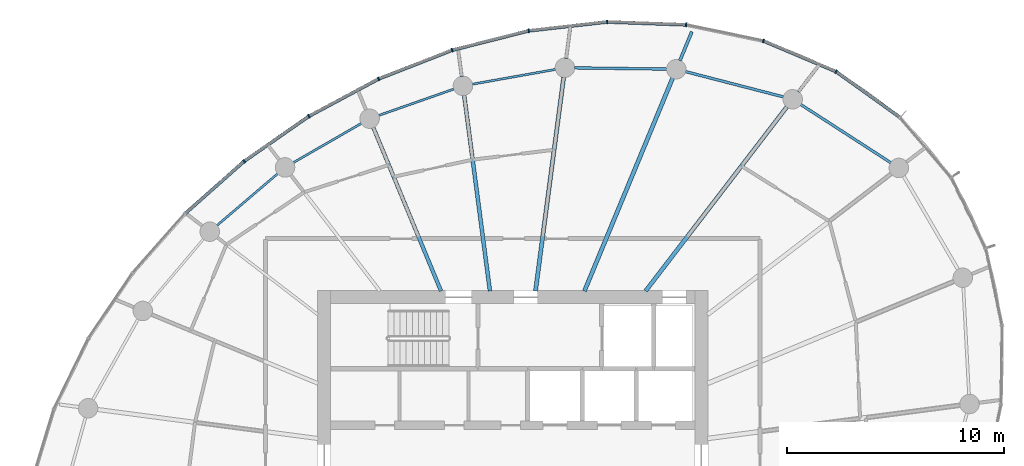
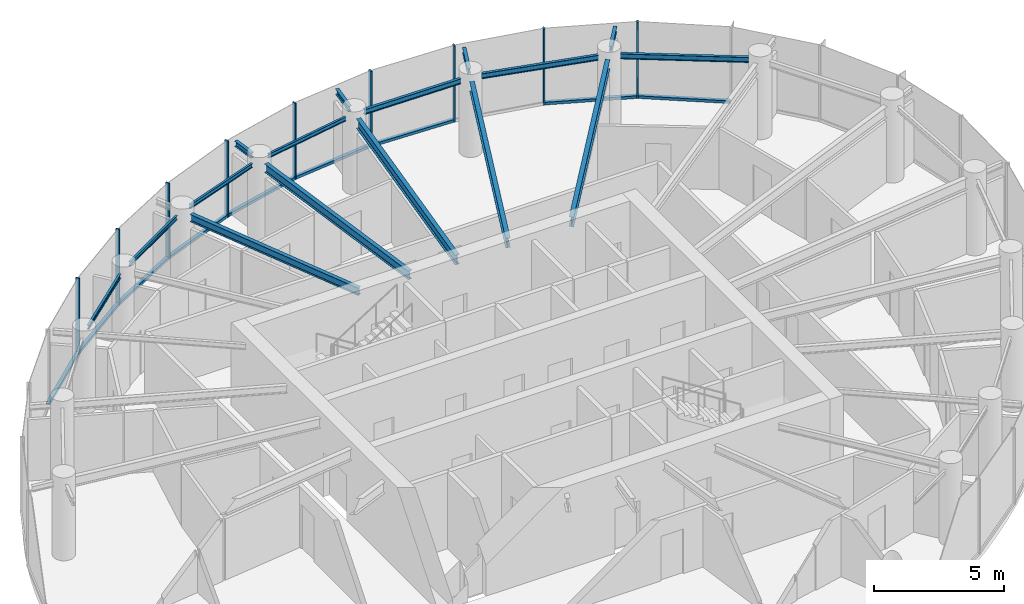
# One storey, part 6 of 15: 18 members, 16 beams, 2 elements without a shape of their own.
"""IFC4 building model written with IfcOpenShell, lengths in metres."""

from ifc_helpers import new_model, si_unit, direction, frame, origin, origin_2d, place, context, subcontext, project, spatial, rectangle, i_section, extrude, source, transform, mapped, material, layer, layer_set, material_profile, profile_set, type_object, element, aggregate, save


model = new_model("IFC4")

# Units and contexts
model_context = context("Model", 3, precision=1e-05, world=origin(), true_north=direction((0.0, 1.0)))
body_context = subcontext(model_context, "Body", "Model", "MODEL_VIEW")
ifc_project = project(units=[si_unit("LENGTHUNIT", "METRE"), si_unit("AREAUNIT", "SQUARE_METRE"), si_unit("VOLUMEUNIT", "CUBIC_METRE"), si_unit("PLANEANGLEUNIT", "RADIAN"), si_unit("MASSUNIT", "GRAM", prefix="KILO")], contexts=[model_context])

# Site, building, storey
site_placement = place(None, origin())
site = spatial("IfcSite", under=ifc_project, at=site_placement, CompositionType="ELEMENT")
building_placement = place(site_placement, origin())
building = spatial("IfcBuilding", under=site, at=building_placement, Name="Spindrift Exchange Tower", CompositionType="ELEMENT")
storey_placement = place(building_placement, frame((0.0, 0.0, 191.60009765625)))
storey = spatial("IfcBuildingStorey", under=building, at=storey_placement, Name="L46", CompositionType="ELEMENT", Elevation=191.60009765625)

# Beams
ifc_material_1 = material(Name="Steel Grade 300", Category="steel")
ifc_material_profile_1 = material_profile(ifc_material_1, i_section(OverallWidth=0.18994140625, OverallDepth=0.4541015625, WebThickness=0.008544921875, FlangeThickness=0.0126953125, FilletRadius=0.013916015625, at=origin_2d()), Name="460UB67.1")
ifc_profile_set_1 = profile_set([ifc_material_profile_1], Name="Steel Grade 300")
beam_type_1 = type_object("IfcBeamType", Name="Floor Beam 460UB67.1 Steel Grade 300", PredefinedType="BEAM", material=ifc_profile_set_1)
shared_shape_1 = source(origin(), body_context, "Body", "SweptSolid", [
    extrude(i_section(OverallWidth=0.18994140625, OverallDepth=0.4541015625, WebThickness=0.008544921875, FlangeThickness=0.0126953125, FilletRadius=0.013916015625, at=origin_2d()), origin(), (0.0, 0.0, 1.0), 10.711181640625),
])
beam_1_placement = place(storey_placement, frame((58.12646484375, 55.984130859375, 3.352783203125), z_axis=(0.608756401092, 0.793357198322, 0.0), x_axis=(-0.793357198322, 0.608756401092, 0.0)))
element("IfcBeam", 1, at=beam_1_placement, inside=storey, type_object=beam_type_1, Name="L46 radial beam R04A", PredefinedType="BEAM", context=body_context, shape_type="MappedRepresentation", body=[
    mapped(shared_shape_1, transform((0.0, 0.0, 0.0), scale=1.0)),
])
shared_shape_2 = source(origin(), body_context, "Body", "SweptSolid", [
    extrude(i_section(OverallWidth=0.18994140625, OverallDepth=0.4541015625, WebThickness=0.008544921875, FlangeThickness=0.0126953125, FilletRadius=0.013916015625, at=origin_2d()), origin(), (0.0, 0.0, 1.0), 10.64111328125),
])
beam_2_placement = place(storey_placement, frame((55.30615234375, 55.9814453125, 3.352783203125), z_axis=(0.382672627597, 0.923884007919, 0.0), x_axis=(-0.923884007919, 0.382672627597, 0.0)))
element("IfcBeam", 2, at=beam_2_placement, inside=storey, type_object=beam_type_1, Name="L46 radial beam R05A", PredefinedType="BEAM", context=body_context, shape_type="MappedRepresentation", body=[
    mapped(shared_shape_2, transform((0.0, 0.0, 0.0), scale=1.0)),
])
shared_shape_3 = source(origin(), body_context, "Body", "SweptSolid", [
    extrude(i_section(OverallWidth=0.18994140625, OverallDepth=0.4541015625, WebThickness=0.008544921875, FlangeThickness=0.0126953125, FilletRadius=0.013916015625, at=origin_2d()), origin(), (0.0, 0.0, 1.0), 9.95703125),
])
beam_3_placement = place(storey_placement, frame((53.050537109375, 55.980224609375, 3.352783203125), z_axis=(0.130541406635, 0.991442858239, 0.0), x_axis=(-0.991442858239, 0.130541406635, 0.0)))
element("IfcBeam", 3, at=beam_3_placement, inside=storey, type_object=beam_type_1, Name="L46 radial beam R06A", PredefinedType="BEAM", context=body_context, shape_type="MappedRepresentation", body=[
    mapped(shared_shape_3, transform((0.0, 0.0, 0.0), scale=1.0)),
])
ifc_material_profile_2 = material_profile(ifc_material_1, i_section(OverallWidth=0.177978515625, OverallDepth=0.403076171875, WebThickness=0.007568359375, FlangeThickness=0.010986328125, FilletRadius=0.013916015625, at=origin_2d()), Name="410UB53.7")
ifc_profile_set_2 = profile_set([ifc_material_profile_2], Name="Steel Grade 300")
beam_type_2 = type_object("IfcBeamType", Name="Floor Beam 410UB53.7 Steel Grade 300", PredefinedType="BEAM", material=ifc_profile_set_2)
shared_shape_4 = source(origin(), body_context, "Body", "SweptSolid", [
    extrude(i_section(OverallWidth=0.177978515625, OverallDepth=0.403076171875, WebThickness=0.007568359375, FlangeThickness=0.010986328125, FilletRadius=0.013916015625, at=origin_2d()), origin(), (0.0, 0.0, 1.0), 9.11376953125),
])
beam_4_placement = place(storey_placement, frame((50.949462890625, 55.980224609375, 3.37841796875), z_axis=(-0.130536972606, 0.991443442049, 0.0), x_axis=(-0.991443442049, -0.130536972606, 0.0)))
element("IfcBeam", 4, at=beam_4_placement, inside=storey, type_object=beam_type_2, Name="L46 radial beam R07A", PredefinedType="BEAM", context=body_context, shape_type="MappedRepresentation", body=[
    mapped(shared_shape_4, transform((0.0, 0.0, 0.0), scale=1.0)),
])
ifc_material_profile_3 = material_profile(ifc_material_1, i_section(OverallWidth=0.1708984375, OverallDepth=0.35205078125, WebThickness=0.0068359375, FlangeThickness=0.009765625, FilletRadius=0.013916015625, at=origin_2d()), Name="360UB44.7")
ifc_profile_set_3 = profile_set([ifc_material_profile_3], Name="Steel Grade 300")
beam_type_3 = type_object("IfcBeamType", Name="Floor Beam 360UB44.7 Steel Grade 300", PredefinedType="BEAM", material=ifc_profile_set_3)
shared_shape_5 = source(origin(), body_context, "Body", "SweptSolid", [
    extrude(i_section(OverallWidth=0.1708984375, OverallDepth=0.35205078125, WebThickness=0.0068359375, FlangeThickness=0.009765625, FilletRadius=0.013916015625, at=origin_2d()), origin(), (0.0, 0.0, 1.0), 8.1748046875),
])
beam_5_placement = place(storey_placement, frame((48.69384765625, 55.9814453125, 3.40380859375), z_axis=(-0.382655117626, 0.923891260352, 0.0), x_axis=(-0.923891260352, -0.382655117626, 0.0)))
element("IfcBeam", 5, at=beam_5_placement, inside=storey, type_object=beam_type_3, Name="L46 radial beam R08A", PredefinedType="BEAM", context=body_context, shape_type="MappedRepresentation", body=[
    mapped(shared_shape_5, transform((0.0, 0.0, 0.0), scale=1.0)),
])
ifc_material_profile_4 = material_profile(ifc_material_1, i_section(OverallWidth=0.1240234375, OverallDepth=0.248046875, WebThickness=0.0048828125, FlangeThickness=0.008056640625, FilletRadius=0.011962890625, at=origin_2d()), Name="250UB25.7")
ifc_profile_set_4 = profile_set([ifc_material_profile_4], Name="Steel Grade 300")
beam_type_4 = type_object("IfcBeamType", Name="Edge Beam 250UB25.7 Steel Grade 300", PredefinedType="SPANDREL", material=ifc_profile_set_4)
shared_shape_6 = source(origin(), body_context, "Body", "SweptSolid", [
    extrude(i_section(OverallWidth=0.1240234375, OverallDepth=0.248046875, WebThickness=0.0048828125, FlangeThickness=0.008056640625, FilletRadius=0.011962890625, at=origin_2d()), origin(), (0.0, 0.0, 1.0), 4.966552734375),
])
beam_6_placement = place(storey_placement, frame((69.44091796875, 61.893310546875, 3.455810546875), z_axis=(-0.839802198579, 0.54289250065, 0.0), x_axis=(-0.54289250065, -0.839802198579, 0.0)))
element("IfcBeam", 6, at=beam_6_placement, inside=storey, type_object=beam_type_4, Name="L46 edge beam E03", PredefinedType="SPANDREL", context=body_context, shape_type="MappedRepresentation", body=[
    mapped(shared_shape_6, transform((0.0, 0.0, 0.0), scale=1.0)),
])
shared_shape_7 = source(origin(), body_context, "Body", "SweptSolid", [
    extrude(i_section(OverallWidth=0.1240234375, OverallDepth=0.248046875, WebThickness=0.0048828125, FlangeThickness=0.008056640625, FilletRadius=0.011962890625, at=origin_2d()), origin(), (0.0, 0.0, 1.0), 4.682373046875),
])
beam_7_placement = place(storey_placement, frame((64.492431640625, 64.9306640625, 3.455810546875), z_axis=(-0.968201586176, 0.250171318352, 0.0), x_axis=(-0.250171318352, -0.968201586176, 0.0)))
element("IfcBeam", 7, at=beam_7_placement, inside=storey, type_object=beam_type_4, Name="L46 edge beam E04", PredefinedType="SPANDREL", context=body_context, shape_type="MappedRepresentation", body=[
    mapped(shared_shape_7, transform((0.0, 0.0, 0.0), scale=1.0)),
])
shared_shape_8 = source(origin(), body_context, "Body", "SweptSolid", [
    extrude(i_section(OverallWidth=0.1240234375, OverallDepth=0.248046875, WebThickness=0.0048828125, FlangeThickness=0.008056640625, FilletRadius=0.011962890625, at=origin_2d()), origin(), (0.0, 0.0, 1.0), 4.27685546875),
])
beam_8_placement = place(storey_placement, frame((59.11279296875, 66.21533203125, 3.455810546875), z_axis=(-0.999910013527, 0.013415097807, 0.0), x_axis=(-0.013415097807, -0.999910013527, 0.0)))
element("IfcBeam", 8, at=beam_8_placement, inside=storey, type_object=beam_type_4, Name="L46 edge beam E05", PredefinedType="SPANDREL", context=body_context, shape_type="MappedRepresentation", body=[
    mapped(shared_shape_8, transform((0.0, 0.0, 0.0), scale=1.0)),
])
ifc_material_profile_5 = material_profile(ifc_material_1, i_section(OverallWidth=0.09912109375, OverallDepth=0.197998046875, WebThickness=0.00439453125, FlangeThickness=0.007080078125, FilletRadius=0.010986328125, at=origin_2d()), Name="200UB18.2")
ifc_profile_set_5 = profile_set([ifc_material_profile_5], Name="Steel Grade 300")
beam_type_5 = type_object("IfcBeamType", Name="Edge Beam 200UB18.2 Steel Grade 300", PredefinedType="SPANDREL", material=ifc_profile_set_5)
shared_shape_9 = source(origin(), body_context, "Body", "SweptSolid", [
    extrude(i_section(OverallWidth=0.09912109375, OverallDepth=0.197998046875, WebThickness=0.00439453125, FlangeThickness=0.007080078125, FilletRadius=0.010986328125, at=origin_2d()), origin(), (0.0, 0.0, 1.0), 3.916259765625),
])
beam_9_placement = place(storey_placement, frame((53.98291015625, 66.203125, 3.48095703125), z_axis=(-0.984558687682, -0.175054821441, 0.0), x_axis=(0.175054821441, -0.984558687682, 0.0)))
element("IfcBeam", 9, at=beam_9_placement, inside=storey, type_object=beam_type_5, Name="L46 edge beam E06", PredefinedType="SPANDREL", context=body_context, shape_type="MappedRepresentation", body=[
    mapped(shared_shape_9, transform((0.0, 0.0, 0.0), scale=1.0)),
])
shared_shape_10 = source(origin(), body_context, "Body", "SweptSolid", [
    extrude(i_section(OverallWidth=0.09912109375, OverallDepth=0.197998046875, WebThickness=0.00439453125, FlangeThickness=0.007080078125, FilletRadius=0.010986328125, at=origin_2d()), origin(), (0.0, 0.0, 1.0), 3.700439453125),
])
beam_10_placement = place(storey_placement, frame((49.298095703125, 65.300048828125, 3.48095703125), z_axis=(-0.943515334916, -0.331328858957, 0.0), x_axis=(0.331328858957, -0.943515334916, 0.0)))
element("IfcBeam", 10, at=beam_10_placement, inside=storey, type_object=beam_type_5, Name="L46 edge beam E07", PredefinedType="SPANDREL", context=body_context, shape_type="MappedRepresentation", body=[
    mapped(shared_shape_10, transform((0.0, 0.0, 0.0), scale=1.0)),
])
shared_shape_11 = source(origin(), body_context, "Body", "SweptSolid", [
    extrude(i_section(OverallWidth=0.09912109375, OverallDepth=0.197998046875, WebThickness=0.00439453125, FlangeThickness=0.007080078125, FilletRadius=0.010986328125, at=origin_2d()), origin(), (0.0, 0.0, 1.0), 3.64208984375),
])
beam_11_placement = place(storey_placement, frame((45.028564453125, 63.716552734375, 3.48095703125), z_axis=(-0.866364093123, -0.499412913476, 0.0), x_axis=(0.499412913476, -0.866364093123, 0.0)))
element("IfcBeam", 11, at=beam_11_placement, inside=storey, type_object=beam_type_5, Name="L46 edge beam E08", PredefinedType="SPANDREL", context=body_context, shape_type="MappedRepresentation", body=[
    mapped(shared_shape_11, transform((0.0, 0.0, 0.0), scale=1.0)),
])
shared_shape_12 = source(origin(), body_context, "Body", "SweptSolid", [
    extrude(i_section(OverallWidth=0.09912109375, OverallDepth=0.197998046875, WebThickness=0.00439453125, FlangeThickness=0.007080078125, FilletRadius=0.010986328125, at=origin_2d()), origin(), (0.0, 0.0, 1.0), 3.703857421875),
])
beam_12_placement = place(storey_placement, frame((41.173583984375, 61.40380859375, 3.48095703125), z_axis=(-0.7606692863, -0.64913961278, 0.0), x_axis=(0.64913961278, -0.7606692863, 0.0)))
element("IfcBeam", 12, at=beam_12_placement, inside=storey, type_object=beam_type_5, Name="L46 edge beam E09", PredefinedType="SPANDREL", context=body_context, shape_type="MappedRepresentation", body=[
    mapped(shared_shape_12, transform((0.0, 0.0, 0.0), scale=1.0)),
])
ifc_material_profile_6 = material_profile(ifc_material_1, i_section(OverallWidth=0.14599609375, OverallDepth=0.251953125, WebThickness=0.006103515625, FlangeThickness=0.008544921875, FilletRadius=0.011962890625, at=origin_2d()), Name="250UB31.4")
ifc_profile_set_6 = profile_set([ifc_material_profile_6], Name="Steel Grade 300")
beam_type_6 = type_object("IfcBeamType", Name="Cantilever Beam 250UB31.4 Steel Grade 300", PredefinedType="BEAM", material=ifc_profile_set_6)
shared_shape_13 = source(origin(), body_context, "Body", "SweptSolid", [
    extrude(i_section(OverallWidth=0.14599609375, OverallDepth=0.251953125, WebThickness=0.006103515625, FlangeThickness=0.008544921875, FilletRadius=0.011962890625, at=origin_2d()), origin(), (0.0, 0.0, 1.0), 1.376220703125),
])
beam_13_placement = place(storey_placement, frame((65.170654296875, 65.164306640625, 3.453857421875), z_axis=(0.608707125494, 0.793395005891, 0.0), x_axis=(-0.793395005891, 0.608707125494, 0.0)))
element("IfcBeam", 13, at=beam_13_placement, inside=storey, type_object=beam_type_6, Name="L46 cantilever beam R04T", PredefinedType="BEAM", context=body_context, shape_type="MappedRepresentation", body=[
    mapped(shared_shape_13, transform((0.0, 0.0, 0.0), scale=1.0)),
])
shared_shape_14 = source(origin(), body_context, "Body", "SweptSolid", [
    extrude(i_section(OverallWidth=0.14599609375, OverallDepth=0.251953125, WebThickness=0.006103515625, FlangeThickness=0.008544921875, FilletRadius=0.011962890625, at=origin_2d()), origin(), (0.0, 0.0, 1.0), 1.442626953125),
])
beam_14_placement = place(storey_placement, frame((59.707275390625, 66.60693359375, 3.453857421875), z_axis=(0.382655720012, 0.923891010857, 0.0), x_axis=(-0.923891010857, 0.382655720012, 0.0)))
element("IfcBeam", 14, at=beam_14_placement, inside=storey, type_object=beam_type_6, Name="L46 cantilever beam R05T", PredefinedType="BEAM", context=body_context, shape_type="MappedRepresentation", body=[
    mapped(shared_shape_14, transform((0.0, 0.0, 0.0), scale=1.0)),
])
shared_shape_15 = source(origin(), body_context, "Body", "SweptSolid", [
    extrude(i_section(OverallWidth=0.14599609375, OverallDepth=0.251953125, WebThickness=0.006103515625, FlangeThickness=0.008544921875, FilletRadius=0.011962890625, at=origin_2d()), origin(), (0.0, 0.0, 1.0), 1.288818359375),
])
beam_15_placement = place(storey_placement, frame((54.46240234375, 66.70458984375, 3.453857421875), z_axis=(0.130699503267, 0.991422029131, 0.0), x_axis=(-0.991422029131, 0.130699503267, 0.0)))
element("IfcBeam", 15, at=beam_15_placement, inside=storey, type_object=beam_type_6, Name="L46 cantilever beam R06T", PredefinedType="BEAM", context=body_context, shape_type="MappedRepresentation", body=[
    mapped(shared_shape_15, transform((0.0, 0.0, 0.0), scale=1.0)),
])
shared_shape_16 = source(origin(), body_context, "Body", "SweptSolid", [
    extrude(i_section(OverallWidth=0.14599609375, OverallDepth=0.251953125, WebThickness=0.006103515625, FlangeThickness=0.008544921875, FilletRadius=0.011962890625, at=origin_2d()), origin(), (0.0, 0.0, 1.0), 1.050048828125),
])
beam_16_placement = place(storey_placement, frame((49.6474609375, 65.868896484375, 3.453857421875), z_axis=(-0.13044248305, 0.9914558783, 0.0), x_axis=(-0.9914558783, -0.13044248305, 0.0)))
element("IfcBeam", 16, at=beam_16_placement, inside=storey, type_object=beam_type_6, Name="L46 cantilever beam R07T", PredefinedType="BEAM", context=body_context, shape_type="MappedRepresentation", body=[
    mapped(shared_shape_16, transform((0.0, 0.0, 0.0), scale=1.0)),
])

# Curtain wall, members
ifc_material_2 = material(Name="Fritted laminated glass with bronze frame", Category="glass")
ifc_layer = layer(ifc_material_2, 0.169921875)
ifc_layer_set = layer_set([ifc_layer], Name="ZONE 4 BRONZE FRITTED WALL")
curtain_wall_type = type_object("IfcCurtainWallType", Name="ZONE 4 BRONZE FRITTED WALL", PredefinedType="NOTDEFINED", material=ifc_layer_set)
curtain_wall_1_placement = place(storey_placement, origin())
curtain_wall_1 = element("IfcCurtainWall", 17, at=curtain_wall_1_placement, inside=storey, type_object=curtain_wall_type, Name="L46 Zone 4 Bronze Fritted Wall run 1", PredefinedType="NOTDEFINED")
ifc_material_3 = material(Name="Bronze anodised aluminium", Category="aluminium")
ifc_material_profile_7 = material_profile(ifc_material_3, rectangle(XDim=0.06494140625, YDim=0.169921875, at=origin_2d()), Name="ZONE 4 BRONZE FRITTED WALL MULLION 65X170")
ifc_profile_set_7 = profile_set([ifc_material_profile_7], Name="Bronze anodised aluminium")
member_type_1 = type_object("IfcMemberType", Name="ZONE 4 BRONZE FRITTED WALL MULLION 65X170", PredefinedType="MULLION", material=ifc_profile_set_7)
shared_shape_17 = source(origin(), body_context, "Body", "SweptSolid", [
    extrude(rectangle(XDim=0.06494140625, YDim=0.169921875, at=origin_2d()), origin(), (0.0, 0.0, 1.0), 3.579833984375),
])
member_1_placement = place(storey_placement, frame((66.909423828125, 66.101806640625, 0.0), z_axis=(0.0, 0.0, 1.0), x_axis=(-0.872524548147, 0.48857027425, 0.0)))
member_1 = element("IfcMember", 18, at=member_1_placement, type_object=member_type_1, Name="L46 mullion CW-4.3", PredefinedType="MULLION", context=body_context, shape_type="MappedRepresentation", body=[
    mapped(shared_shape_17, transform((0.0, 0.0, 0.0), scale=1.0)),
])
member_2_placement = place(storey_placement, frame((63.55810546875, 67.517822265625, 0.0), z_axis=(0.0, 0.0, 1.0), x_axis=(-0.954529081169, 0.298117817653, 0.0)))
member_2 = element("IfcMember", 19, at=member_2_placement, type_object=member_type_1, Name="L46 mullion CW-4.4", PredefinedType="MULLION", context=body_context, shape_type="MappedRepresentation", body=[
    mapped(shared_shape_17, transform((0.0, 0.0, 0.0), scale=1.0)),
])
member_3_placement = place(storey_placement, frame((59.994873046875, 68.260986328125, 0.0), z_axis=(0.0, 0.0, 1.0), x_axis=(-0.992685203866, 0.120731462454, 0.0)))
member_3 = element("IfcMember", 20, at=member_3_placement, type_object=member_type_1, Name="L46 mullion CW-4.5", PredefinedType="MULLION", context=body_context, shape_type="MappedRepresentation", body=[
    mapped(shared_shape_17, transform((0.0, 0.0, 0.0), scale=1.0)),
])
member_4_placement = place(storey_placement, frame((56.356201171875, 68.3935546875, 0.0), z_axis=(0.0, 0.0, 1.0), x_axis=(-0.99926739617, -0.038271019732, 0.0)))
member_4 = element("IfcMember", 21, at=member_4_placement, type_object=member_type_1, Name="L46 mullion CW-4.6", PredefinedType="MULLION", context=body_context, shape_type="MappedRepresentation", body=[
    mapped(shared_shape_17, transform((0.0, 0.0, 0.0), scale=1.0)),
])

curtain_wall_2_placement = place(storey_placement, origin())
curtain_wall_2 = element("IfcCurtainWall", 22, at=curtain_wall_2_placement, inside=storey, type_object=curtain_wall_type, Name="L46 Zone 4 Bronze Fritted Wall run 2", PredefinedType="NOTDEFINED")
member_5_placement = place(storey_placement, frame((52.737548828125, 67.983154296875, 0.0), z_axis=(0.0, 0.0, 1.0), x_axis=(-0.983777315173, -0.179393963532, 0.0)))
member_5 = element("IfcMember", 23, at=member_5_placement, type_object=member_type_1, Name="L46 mullion CW-4.7", PredefinedType="MULLION", context=body_context, shape_type="MappedRepresentation", body=[
    mapped(shared_shape_17, transform((0.0, 0.0, 0.0), scale=1.0)),
])
member_6_placement = place(storey_placement, frame((49.206298828125, 67.08984375, 0.0), z_axis=(0.0, 0.0, 1.0), x_axis=(-0.952269885179, -0.305257376293, 0.0)))
member_6 = element("IfcMember", 24, at=member_6_placement, type_object=member_type_1, Name="L46 mullion CW-4.8", PredefinedType="MULLION", context=body_context, shape_type="MappedRepresentation", body=[
    mapped(shared_shape_17, transform((0.0, 0.0, 0.0), scale=1.0)),
])
member_7_placement = place(storey_placement, frame((45.813720703125, 65.763671875, 0.0), z_axis=(0.0, 0.0, 1.0), x_axis=(-0.90810297867, -0.418746916563, 0.0)))
member_7 = element("IfcMember", 25, at=member_7_placement, type_object=member_type_1, Name="L46 mullion CW-4.9", PredefinedType="MULLION", context=body_context, shape_type="MappedRepresentation", body=[
    mapped(shared_shape_17, transform((0.0, 0.0, 0.0), scale=1.0)),
])
member_8_placement = place(storey_placement, frame((42.60205078125, 64.04443359375, 0.0), z_axis=(0.0, 0.0, 1.0), x_axis=(-0.852665302798, -0.522457540289, 0.0)))
member_8 = element("IfcMember", 26, at=member_8_placement, type_object=member_type_1, Name="L46 mullion CW-4.10", PredefinedType="MULLION", context=body_context, shape_type="MappedRepresentation", body=[
    mapped(shared_shape_17, transform((0.0, 0.0, 0.0), scale=1.0)),
])
member_9_placement = place(storey_placement, frame((39.612060546875, 61.963623046875, 0.0), z_axis=(0.0, 0.0, 1.0), x_axis=(-0.78594890468, -0.618291451689, 0.0)))
member_9 = element("IfcMember", 27, at=member_9_placement, type_object=member_type_1, Name="L46 mullion CW-4.11", PredefinedType="MULLION", context=body_context, shape_type="MappedRepresentation", body=[
    mapped(shared_shape_17, transform((0.0, 0.0, 0.0), scale=1.0)),
])
ifc_material_profile_8 = material_profile(ifc_material_3, rectangle(XDim=0.14990234375, YDim=0.125, at=origin_2d()), Name="ZONE 4 BRONZE FRITTED WALL TRANSOM 150X125")
ifc_profile_set_8 = profile_set([ifc_material_profile_8], Name="Bronze anodised aluminium")
member_type_2 = type_object("IfcMemberType", Name="ZONE 4 BRONZE FRITTED WALL TRANSOM 150X125", PredefinedType="USERDEFINED", material=ifc_profile_set_8)
shared_shape_18 = source(origin(), body_context, "Body", "SweptSolid", [
    extrude(rectangle(XDim=0.14990234375, YDim=0.125, at=origin_2d()), origin(), (0.0, 0.0, 1.0), 3.57763671875),
])
member_10_placement = place(storey_placement, frame((52.7060546875, 67.97509765625, 0.0625), z_axis=(-0.969456232512, -0.245264374183, 0.0), x_axis=(0.245264374183, -0.969456232512, 0.0)))
member_10 = element("IfcMember", 28, at=member_10_placement, type_object=member_type_2, Name="L46 transom CW-4.7", ObjectType="TRANSOM", PredefinedType="USERDEFINED", context=body_context, shape_type="MappedRepresentation", body=[
    mapped(shared_shape_18, transform((0.0, 0.0, 0.0), scale=1.0)),
])
member_11_placement = place(storey_placement, frame((49.176025390625, 67.077880859375, 0.0625), z_axis=(-0.931370592735, -0.364072546325, 0.0), x_axis=(0.364072546325, -0.931370592735, 0.0)))
member_11 = element("IfcMember", 29, at=member_11_placement, type_object=member_type_2, Name="L46 transom CW-4.8", ObjectType="TRANSOM", PredefinedType="USERDEFINED", context=body_context, shape_type="MappedRepresentation", body=[
    mapped(shared_shape_18, transform((0.0, 0.0, 0.0), scale=1.0)),
])
member_12_placement = place(storey_placement, frame((39.587646484375, 61.942138671875, 0.0625), z_axis=(-0.748372343086, -0.663278852448, 0.0), x_axis=(0.663278852448, -0.748372343086, 0.0)))
member_12 = element("IfcMember", 30, at=member_12_placement, type_object=member_type_2, Name="L46 transom CW-4.11", ObjectType="TRANSOM", PredefinedType="USERDEFINED", context=body_context, shape_type="MappedRepresentation", body=[
    mapped(shared_shape_18, transform((0.0, 0.0, 0.0), scale=1.0)),
])
shared_shape_19 = source(origin(), body_context, "Body", "SweptSolid", [
    extrude(rectangle(XDim=0.14990234375, YDim=0.125, at=origin_2d()), origin(), (0.0, 0.0, 1.0), 3.577880859375),
])
member_13_placement = place(storey_placement, frame((45.78515625, 65.748291015625, 0.0625), z_axis=(-0.881634117775, -0.471933557162, 0.0), x_axis=(0.471933557162, -0.881634117775, 0.0)))
member_13 = element("IfcMember", 31, at=member_13_placement, type_object=member_type_2, Name="L46 transom CW-4.9", ObjectType="TRANSOM", PredefinedType="USERDEFINED", context=body_context, shape_type="MappedRepresentation", body=[
    mapped(shared_shape_19, transform((0.0, 0.0, 0.0), scale=1.0)),
])
member_14_placement = place(storey_placement, frame((42.575439453125, 64.02587890625, 0.0625), z_axis=(-0.82080922536, -0.571202429586, 0.0), x_axis=(0.571202429586, -0.82080922536, 0.0)))
member_14 = element("IfcMember", 32, at=member_14_placement, type_object=member_type_2, Name="L46 transom CW-4.10", ObjectType="TRANSOM", PredefinedType="USERDEFINED", context=body_context, shape_type="MappedRepresentation", body=[
    mapped(shared_shape_19, transform((0.0, 0.0, 0.0), scale=1.0)),
])
aggregate(curtain_wall_2, [member_5, member_10, member_6, member_11, member_7, member_13, member_8, member_14, member_9, member_12])

# Member
shared_shape_20 = source(origin(), body_context, "Body", "SweptSolid", [
    extrude(rectangle(XDim=0.14990234375, YDim=0.125, at=origin_2d()), origin(), (0.0, 0.0, 1.0), 3.57666015625),
])
member_15_placement = place(storey_placement, frame((56.32373046875, 68.389892578125, 0.0625), z_axis=(-0.99362977074, -0.11269373851, 0.0), x_axis=(0.11269373851, -0.99362977074, 0.0)))
member_15 = element("IfcMember", 33, at=member_15_placement, type_object=member_type_2, Name="L46 transom CW-4.6", ObjectType="TRANSOM", PredefinedType="USERDEFINED", context=body_context, shape_type="MappedRepresentation", body=[
    mapped(shared_shape_20, transform((0.0, 0.0, 0.0), scale=1.0)),
])

shared_shape_21 = source(origin(), body_context, "Body", "SweptSolid", [
    extrude(rectangle(XDim=0.14990234375, YDim=0.125, at=origin_2d()), origin(), (0.0, 0.0, 1.0), 3.571533203125),
])
member_16_placement = place(storey_placement, frame((69.84033203125, 64.00439453125, 0.0625), z_axis=(-0.813243598397, 0.581923405325, 0.0), x_axis=(-0.581923405325, -0.813243598397, 0.0)))
member_16 = element("IfcMember", 34, at=member_16_placement, type_object=member_type_2, Name="L46 transom CW-4.2", ObjectType="TRANSOM", PredefinedType="USERDEFINED", context=body_context, shape_type="MappedRepresentation", body=[
    mapped(shared_shape_21, transform((0.0, 0.0, 0.0), scale=1.0)),
])

shared_shape_22 = source(origin(), body_context, "Body", "SweptSolid", [
    extrude(rectangle(XDim=0.14990234375, YDim=0.125, at=origin_2d()), origin(), (0.0, 0.0, 1.0), 3.5732421875),
])
member_17_placement = place(storey_placement, frame((66.87939453125, 66.1142578125, 0.0625), z_axis=(-0.921136900763, 0.389238757131, 0.0), x_axis=(-0.389238757131, -0.921136900763, 0.0)))
member_17 = element("IfcMember", 35, at=member_17_placement, type_object=member_type_2, Name="L46 transom CW-4.3", ObjectType="TRANSOM", PredefinedType="USERDEFINED", context=body_context, shape_type="MappedRepresentation", body=[
    mapped(shared_shape_22, transform((0.0, 0.0, 0.0), scale=1.0)),
])

shared_shape_23 = source(origin(), body_context, "Body", "SweptSolid", [
    extrude(rectangle(XDim=0.14990234375, YDim=0.125, at=origin_2d()), origin(), (0.0, 0.0, 1.0), 3.576171875),
])
member_18_placement = place(storey_placement, frame((59.96240234375, 68.26220703125, 0.0625), z_axis=(-0.999337738749, 0.036387963844, 0.0), x_axis=(-0.036387963844, -0.999337738749, 0.0)))
member_18 = element("IfcMember", 36, at=member_18_placement, type_object=member_type_2, Name="L46 transom CW-4.5", ObjectType="TRANSOM", PredefinedType="USERDEFINED", context=body_context, shape_type="MappedRepresentation", body=[
    mapped(shared_shape_23, transform((0.0, 0.0, 0.0), scale=1.0)),
])

aggregate(curtain_wall_1, [member_16, member_1, member_17, member_2, member_3, member_18, member_4, member_15])

save(model, "model.ifc")
